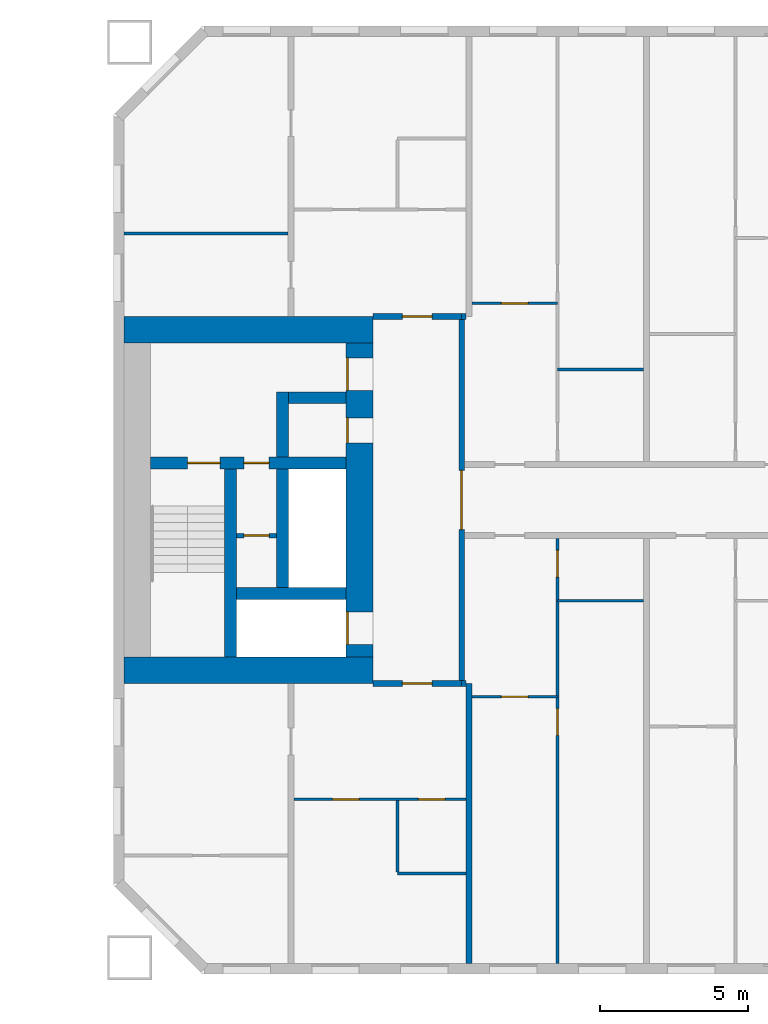
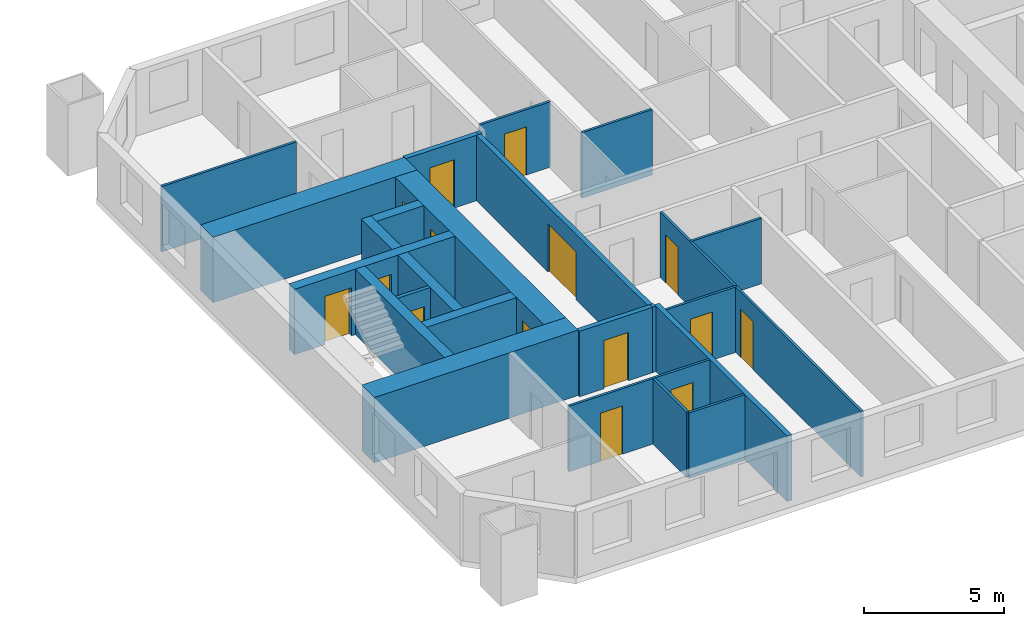
# One storey, part 9 of 16: 25 walls, 15 doors, 15 openings.
"""IFC4 building model written with IfcOpenShell, lengths in metres."""

from ifc_helpers import new_model, si_unit, direction, frame, frame_2d, origin, place, context, subcontext, project, spatial, rectangle, extrude, material, layer, layer_set, type_object, element, fill, save


model = new_model("IFC4")

# Units and contexts
model_context = context("Model", 3, precision=1e-05, world=origin(), true_north=direction((0.0, 1.0)))
body_context = subcontext(model_context, "Body", "Model", "MODEL_VIEW")
ifc_project = project(units=[si_unit("LENGTHUNIT", "METRE"), si_unit("AREAUNIT", "SQUARE_METRE"), si_unit("VOLUMEUNIT", "CUBIC_METRE"), si_unit("PLANEANGLEUNIT", "RADIAN"), si_unit("MASSUNIT", "GRAM", prefix="KILO")], contexts=[model_context])

# Site, building, storey
site_placement = place(None, origin())
site = spatial("IfcSite", under=ifc_project, at=site_placement, CompositionType="ELEMENT")
building_placement = place(site_placement, origin())
building = spatial("IfcBuilding", under=site, at=building_placement, Name="Tuart Gate Housing", CompositionType="ELEMENT")
storey_placement = place(building_placement, frame((0.0, 0.0, 35.0)))
storey = spatial("IfcBuildingStorey", under=building, at=storey_placement, Name="L09", CompositionType="ELEMENT", Elevation=35.0)

# Wall, opening, door
ifc_material_1 = material(Name="Plasterboard partition")
ifc_layer_1 = layer(ifc_material_1, 0.14990234375)
ifc_layer_set_1 = layer_set([ifc_layer_1], Name="Core partition 150")
wall_type_1 = type_object("IfcWallType", Name="Core partition 150", PredefinedType="PARTITIONING", material=ifc_layer_set_1)
wall_1_placement = place(storey_placement, frame((136.510009765625, 68.800048828125, 0.0), z_axis=(0.0, 0.0, 1.0), x_axis=(-1.0, 0.0, 0.0)))
wall_1 = element("IfcWall", 1, at=wall_1_placement, inside=storey, type_object=wall_type_1, Name="Core partition BG.2", PredefinedType="PARTITIONING", context=body_context, shape_type="SweptSolid", body=[
    extrude(rectangle(XDim=1.35009765625, YDim=0.14990234375, at=frame_2d((0.675048828125, 0.0))), origin(), (0.0, 0.0, 1.0), 2.85009765625),
])
opening_1_placement = place(wall_1_placement, frame((0.25, 0.0, 0.0)))
opening_1 = element("IfcOpeningElement", 2, at=opening_1_placement, cuts=wall_1, Name="Opening D564", PredefinedType="OPENING", context=body_context, shape_type="SweptSolid", body=[
    extrude(rectangle(XDim=0.85009765625, YDim=2.10009765625, at=frame_2d((0.425048828125, 1.050048828125))), frame((0.0, 0.0849609375, 0.0), z_axis=(0.0, -1.0, 0.0), x_axis=(1.0, 0.0, 0.0)), (0.0, 0.0, 1.0), 0.169921875),
])
ifc_material_2 = material(Name="Steel fire door", Category="steel")
door_type_1 = type_object("IfcDoorType", Name="Service door 850 x 2100 RH", OperationType="SINGLE_SWING_RIGHT", PredefinedType="DOOR", material=ifc_material_2)
door_1_placement = place(opening_1_placement, frame((0.85009765625, 0.0, 0.0), z_axis=(0.0, 0.0, 1.0), x_axis=(-1.0, 0.0, 0.0)))
door_1 = element("IfcDoor", 3, at=door_1_placement, inside=storey, type_object=door_type_1, Name="Service room door BG.W2", OperationType="SINGLE_SWING_RIGHT", OverallHeight=2.10009765625, OverallWidth=0.85009765625, PredefinedType="DOOR", context=body_context, shape_type="SweptSolid", body=[
    extrude(rectangle(XDim=0.85009765625, YDim=2.10009765625, at=frame_2d((0.425048828125, 1.050048828125))), frame((0.0, 0.025146484375, 0.0), z_axis=(0.0, -1.0, 0.0), x_axis=(1.0, 0.0, 0.0)), (0.0, 0.0, 1.0), 0.050048828125),
])
fill(opening_1, door_1)

# Wall
ifc_material_3 = material(Name="Concrete C60", Category="concrete")
ifc_layer_2 = layer(ifc_material_3, 0.39990234375)
ifc_layer_set_2 = layer_set([ifc_layer_2], Name="Core wall 400 C60")
wall_type_2 = type_object("IfcWallType", Name="Core wall 400 C60", PredefinedType="SHEAR", material=ifc_layer_set_2)
wall_2_placement = place(storey_placement, frame((138.860107421875, 66.85009765625, 0.0), z_axis=(0.0, 0.0, 1.0), x_axis=(-1.0, 0.0, 0.0)))
element("IfcWall", 4, at=wall_2_placement, inside=storey, type_object=wall_type_2, Name="Core wall BG.1", PredefinedType="SHEAR", context=body_context, shape_type="SweptSolid", body=[
    extrude(rectangle(XDim=3.7001953125, YDim=0.39990234375, at=frame_2d((1.85009765625, 0.0))), origin(), (0.0, 0.0, 1.0), 2.85009765625),
])

# Wall, openings, doors
wall_3_placement = place(storey_placement, frame((138.860107421875, 71.25, 0.0), z_axis=(0.0, 0.0, 1.0), x_axis=(-1.0, 0.0, 0.0)))
wall_3 = element("IfcWall", 5, at=wall_3_placement, inside=storey, type_object=wall_type_2, Name="Core wall BG.3", PredefinedType="SHEAR", context=body_context, shape_type="SweptSolid", body=[
    extrude(rectangle(XDim=6.60009765625, YDim=0.39990234375, at=frame_2d((3.300048828125, 0.0))), origin(), (0.0, 0.0, 1.0), 2.85009765625),
])
opening_2_placement = place(wall_3_placement, frame((4.25, 0.0, 0.0)))
opening_2 = element("IfcOpeningElement", 6, at=opening_2_placement, cuts=wall_3, Name="Opening D553", PredefinedType="OPENING", context=body_context, shape_type="SweptSolid", body=[
    extrude(rectangle(XDim=1.10009765625, YDim=2.10009765625, at=frame_2d((0.550048828125, 1.050048828125))), frame((0.0, 0.2099609375, 0.0), z_axis=(0.0, -1.0, 0.0), x_axis=(1.0, 0.0, 0.0)), (0.0, 0.0, 1.0), 0.419921875),
])
opening_3_placement = place(wall_3_placement, frame((2.60009765625, 0.0, 0.0)))
opening_3 = element("IfcOpeningElement", 7, at=opening_3_placement, cuts=wall_3, Name="Opening D552", PredefinedType="OPENING", context=body_context, shape_type="SweptSolid", body=[
    extrude(rectangle(XDim=0.85009765625, YDim=2.10009765625, at=frame_2d((0.425048828125, 1.050048828125))), frame((0.0, 0.2099609375, 0.0), z_axis=(0.0, -1.0, 0.0), x_axis=(1.0, 0.0, 0.0)), (0.0, 0.0, 1.0), 0.419921875),
])
ifc_material_4 = material(Name="Steel fire door", Category="steel")
door_type_2 = type_object("IfcDoorType", Name="Riser door 850 x 2100", OperationType="SINGLE_SWING_LEFT", PredefinedType="DOOR", material=ifc_material_4)
door_2_placement = place(opening_3_placement, origin())
door_2 = element("IfcDoor", 8, at=door_2_placement, inside=storey, type_object=door_type_2, Name="Service room door BG.W1", OperationType="SINGLE_SWING_LEFT", OverallHeight=2.10009765625, OverallWidth=0.85009765625, PredefinedType="DOOR", context=body_context, shape_type="SweptSolid", body=[
    extrude(rectangle(XDim=0.85009765625, YDim=2.10009765625, at=frame_2d((0.425048828125, 1.050048828125))), frame((0.0, 0.02490234375, 0.0), z_axis=(0.0, -1.0, 0.0), x_axis=(1.0, 0.0, 0.0)), (0.0, 0.0, 1.0), 0.050048828125),
])
fill(opening_3, door_2)
ifc_material_5 = material(Name="Steel fire door", Category="steel")
door_type_3 = type_object("IfcDoorType", Name="Stair door 1100 x 2100", OperationType="SINGLE_SWING_LEFT", PredefinedType="DOOR", material=ifc_material_5)
door_3_placement = place(opening_2_placement, origin())
door_3 = element("IfcDoor", 9, at=door_3_placement, inside=storey, type_object=door_type_3, Name="Stair door BG.SD", OperationType="SINGLE_SWING_LEFT", OverallHeight=2.10009765625, OverallWidth=1.10009765625, PredefinedType="DOOR", context=body_context, shape_type="SweptSolid", body=[
    extrude(rectangle(XDim=1.10009765625, YDim=2.10009765625, at=frame_2d((0.550048828125, 1.050048828125))), frame((0.0, 0.02490234375, 0.0), z_axis=(0.0, -1.0, 0.0), x_axis=(1.0, 0.0, 0.0)), (0.0, 0.0, 1.0), 0.050048828125),
])
fill(opening_2, door_3)

# Walls
wall_4_placement = place(storey_placement, frame((138.860107421875, 73.449951171875, 0.0), z_axis=(0.0, 0.0, 1.0), x_axis=(-1.0, 0.0, 0.0)))
element("IfcWall", 10, at=wall_4_placement, inside=storey, type_object=wall_type_2, Name="Core wall BG.4", PredefinedType="SHEAR", context=body_context, shape_type="SweptSolid", body=[
    extrude(rectangle(XDim=1.9501953125, YDim=0.39990234375, at=frame_2d((0.97509765625, 0.0))), origin(), (0.0, 0.0, 1.0), 2.85009765625),
])
wall_5_placement = place(storey_placement, frame((136.7099609375, 67.050048828125, 0.0), z_axis=(0.0, 0.0, 1.0), x_axis=(0.0, 1.0, 0.0)))
element("IfcWall", 11, at=wall_5_placement, inside=storey, type_object=wall_type_2, Name="Core wall BG.5", PredefinedType="SHEAR", context=body_context, shape_type="SweptSolid", body=[
    extrude(rectangle(XDim=4.0, YDim=0.39990234375, at=frame_2d((2.0, 0.0))), origin(), (0.0, 0.0, 1.0), 2.85009765625),
])
wall_6_placement = place(storey_placement, frame((136.7099609375, 71.449951171875, 0.0), z_axis=(0.0, 0.0, 1.0), x_axis=(0.0, 1.0, 0.0)))
element("IfcWall", 12, at=wall_6_placement, inside=storey, type_object=wall_type_2, Name="Core wall BG.6", PredefinedType="SHEAR", context=body_context, shape_type="SweptSolid", body=[
    extrude(rectangle(XDim=2.199951171875, YDim=0.39990234375, at=frame_2d((1.10009765625, 0.0))), origin(), (0.0, 0.0, 1.0), 2.85009765625),
])
wall_7_placement = place(storey_placement, frame((134.9599609375, 64.699951171875, 0.0), z_axis=(0.0, 0.0, 1.0), x_axis=(0.0, 1.0, 0.0)))
element("IfcWall", 13, at=wall_7_placement, inside=storey, type_object=wall_type_2, Name="Core wall BG.7", PredefinedType="SHEAR", context=body_context, shape_type="SweptSolid", body=[
    extrude(rectangle(XDim=6.35009765625, YDim=0.39990234375, at=frame_2d((3.175048828125, 0.0))), origin(), (0.0, 0.0, 1.0), 2.85009765625),
])

# Wall, openings, doors
ifc_material_6 = material(Name="Concrete C60", Category="concrete")
ifc_layer_3 = layer(ifc_material_6, 0.89990234375)
ifc_layer_set_3 = layer_set([ifc_layer_3], Name="Core wall 900 C60")
wall_type_3 = type_object("IfcWallType", Name="Core wall 900 C60", PredefinedType="SHEAR", material=ifc_layer_set_3)
wall_8_placement = place(storey_placement, frame((139.31005859375, 64.699951171875, 0.0), z_axis=(0.0, 0.0, 1.0), x_axis=(0.0, 1.0, 0.0)))
wall_8 = element("IfcWall", 14, at=wall_8_placement, inside=storey, type_object=wall_type_3, Name="Core wall BG front", PredefinedType="SHEAR", context=body_context, shape_type="SweptSolid", body=[
    extrude(rectangle(XDim=10.60009765625, YDim=0.89990234375, at=frame_2d((5.300048828125, 0.0))), origin(), (0.0, 0.0, 1.0), 2.85009765625),
])
opening_4_placement = place(wall_8_placement, frame((0.425048828125, 0.0, 0.0)))
opening_4 = element("IfcOpeningElement", 15, at=opening_4_placement, cuts=wall_8, Name="Opening LD-FB1", PredefinedType="OPENING", context=body_context, shape_type="SweptSolid", body=[
    extrude(rectangle(XDim=1.10009765625, YDim=2.10009765625, at=frame_2d((0.550048828125, 1.050048828125))), frame((0.0, 0.4599609375, 0.0), z_axis=(0.0, -1.0, 0.0), x_axis=(1.0, 0.0, 0.0)), (0.0, 0.0, 1.0), 0.919921875),
])
opening_5_placement = place(wall_8_placement, frame((9.0, 0.0, 0.0)))
opening_5 = element("IfcOpeningElement", 16, at=opening_5_placement, cuts=wall_8, Name="Opening D556", PredefinedType="OPENING", context=body_context, shape_type="SweptSolid", body=[
    extrude(rectangle(XDim=1.10009765625, YDim=2.10009765625, at=frame_2d((0.550048828125, 1.050048828125))), frame((0.0, 0.4599609375, 0.0), z_axis=(0.0, -1.0, 0.0), x_axis=(1.0, 0.0, 0.0)), (0.0, 0.0, 1.0), 0.919921875),
])
opening_6_placement = place(wall_8_placement, frame((7.22509765625, 0.0, 0.0)))
opening_6 = element("IfcOpeningElement", 17, at=opening_6_placement, cuts=wall_8, Name="Opening D557", PredefinedType="OPENING", context=body_context, shape_type="SweptSolid", body=[
    extrude(rectangle(XDim=0.85009765625, YDim=2.10009765625, at=frame_2d((0.425048828125, 1.050048828125))), frame((0.0, 0.4599609375, 0.0), z_axis=(0.0, -1.0, 0.0), x_axis=(1.0, 0.0, 0.0)), (0.0, 0.0, 1.0), 0.919921875),
])
ifc_material_7 = material(Name="Stainless steel", Category="steel")
door_type_4 = type_object("IfcDoorType", Name="Landing door 1100 x 2100", OperationType="DOUBLE_DOOR_SLIDING", PredefinedType="DOOR", material=ifc_material_7)
door_4_placement = place(opening_4_placement, origin())
door_4 = element("IfcDoor", 18, at=door_4_placement, inside=storey, type_object=door_type_4, Name="Lift landing door FB1", OperationType="DOUBLE_DOOR_SLIDING", OverallHeight=2.10009765625, OverallWidth=1.10009765625, PredefinedType="DOOR", context=body_context, shape_type="SweptSolid", body=[
    extrude(rectangle(XDim=1.10009765625, YDim=2.10009765625, at=frame_2d((0.550048828125, 1.050048828125))), frame((0.0, 0.43505859375, 0.0), z_axis=(0.0, -1.0, 0.0), x_axis=(1.0, 0.0, 0.0)), (0.0, 0.0, 1.0), 0.050048828125),
])
fill(opening_4, door_4)
ifc_material_8 = material(Name="Steel fire door", Category="steel")
door_type_5 = type_object("IfcDoorType", Name="Lobby door 1100 x 2100", OperationType="SINGLE_SWING_LEFT", PredefinedType="DOOR", material=ifc_material_8)
door_5_placement = place(opening_5_placement, origin())
door_5 = element("IfcDoor", 19, at=door_5_placement, inside=storey, type_object=door_type_5, Name="Lobby entry door BG.EN", OperationType="SINGLE_SWING_LEFT", OverallHeight=2.10009765625, OverallWidth=1.10009765625, PredefinedType="DOOR", context=body_context, shape_type="SweptSolid", body=[
    extrude(rectangle(XDim=1.10009765625, YDim=2.10009765625, at=frame_2d((0.550048828125, 1.050048828125))), frame((0.0, 0.43505859375, 0.0), z_axis=(0.0, -1.0, 0.0), x_axis=(1.0, 0.0, 0.0)), (0.0, 0.0, 1.0), 0.050048828125),
])
fill(opening_5, door_5)
ifc_material_9 = material(Name="Steel fire door", Category="steel")
door_type_6 = type_object("IfcDoorType", Name="Service door 850 x 2100", OperationType="SINGLE_SWING_LEFT", PredefinedType="DOOR", material=ifc_material_9)
door_6_placement = place(opening_6_placement, origin())
door_6 = element("IfcDoor", 20, at=door_6_placement, inside=storey, type_object=door_type_6, Name="Service room door BG.T1", OperationType="SINGLE_SWING_LEFT", OverallHeight=2.10009765625, OverallWidth=0.85009765625, PredefinedType="DOOR", context=body_context, shape_type="SweptSolid", body=[
    extrude(rectangle(XDim=0.85009765625, YDim=2.10009765625, at=frame_2d((0.425048828125, 1.050048828125))), frame((0.0, 0.43505859375, 0.0), z_axis=(0.0, -1.0, 0.0), x_axis=(1.0, 0.0, 0.0)), (0.0, 0.0, 1.0), 0.050048828125),
])
fill(opening_6, door_6)

# Walls
for number, where, z_axis, x_axis, name in (
    (21, (139.760009765625, 64.25, 0.0), (0.0, 0.0, 1.0), (-1.0, 0.0, 0.0), "Core wall BG south"),
    (22, (139.760009765625, 75.75, 0.0), (0.0, 0.0, 1.0), (-1.0, 0.0, 0.0), "Core wall BG north"),
):
    element("IfcWall", number, at=place(storey_placement, frame(where, z_axis=z_axis, x_axis=x_axis)), inside=storey, type_object=wall_type_3, Name=name, PredefinedType="SHEAR", context=body_context, shape_type="SweptSolid", body=[
        extrude(rectangle(XDim=8.39990234375, YDim=0.89990234375, at=frame_2d((4.199951171875, 0.0))), origin(), (0.0, 0.0, 1.0), 2.85009765625),
    ])

# Wall, opening, door
ifc_material_10 = material(Name="Concrete masonry 15 MPa", Category="masonry")
ifc_layer_4 = layer(ifc_material_10, 0.199951171875)
ifc_layer_set_4 = layer_set([ifc_layer_4], Name="Enclosure wall masonry 200")
wall_type_4 = type_object("IfcWallType", Name="Enclosure wall masonry 200", PredefinedType="PARTITIONING", material=ifc_layer_set_4)
wall_9_placement = place(storey_placement, frame((139.760009765625, 63.800048828125, 0.0), z_axis=(0.0, 0.0, 1.0), x_axis=(1.0, 0.0, 0.0)))
wall_9 = element("IfcWall", 23, at=wall_9_placement, inside=storey, type_object=wall_type_4, Name="Enclosure wall masonry 200", PredefinedType="PARTITIONING", context=body_context, shape_type="SweptSolid", body=[
    extrude(rectangle(XDim=3.0, YDim=0.199951171875, at=frame_2d((1.5, 0.0))), origin(), (0.0, 0.0, 1.0), 2.85009765625),
])
opening_7_placement = place(wall_9_placement, frame((1.0, 0.0, 0.0)))
opening_7 = element("IfcOpeningElement", 24, at=opening_7_placement, cuts=wall_9, Name="Opening D569", PredefinedType="OPENING", context=body_context, shape_type="SweptSolid", body=[
    extrude(rectangle(XDim=1.0, YDim=2.10009765625, at=frame_2d((0.5, 1.050048828125))), frame((0.0, 0.10986328125, 0.0), z_axis=(0.0, -1.0, 0.0), x_axis=(1.0, 0.0, 0.0)), (0.0, 0.0, 1.0), 0.219970703125),
])
ifc_material_11 = material(Name="Timber door leaf in steel frame", Category="steel")
door_type_7 = type_object("IfcDoorType", Name="Flat entrance door 1000", OperationType="SINGLE_SWING_LEFT", PredefinedType="DOOR", material=ifc_material_11)
door_7_placement = place(opening_7_placement, frame((1.0, 0.0, 0.0), z_axis=(0.0, 0.0, 1.0), x_axis=(-1.0, 0.0, 0.0)))
door_7 = element("IfcDoor", 25, at=door_7_placement, inside=storey, type_object=door_type_7, Name="Flat entrance door", OperationType="SINGLE_SWING_LEFT", OverallHeight=2.10009765625, OverallWidth=1.0, PredefinedType="DOOR", context=body_context, shape_type="SweptSolid", body=[
    extrude(rectangle(XDim=1.0, YDim=2.10009765625, at=frame_2d((0.5, 1.050048828125))), frame((0.0, 0.025146484375, 0.0), z_axis=(0.0, -1.0, 0.0), x_axis=(1.0, 0.0, 0.0)), (0.0, 0.0, 1.0), 0.050048828125),
])
fill(opening_7, door_7)

wall_10_placement = place(storey_placement, frame((139.760009765625, 76.199951171875, 0.0), z_axis=(0.0, 0.0, 1.0), x_axis=(1.0, 0.0, 0.0)))
wall_10 = element("IfcWall", 26, at=wall_10_placement, inside=storey, type_object=wall_type_4, Name="Enclosure wall masonry 200", PredefinedType="PARTITIONING", context=body_context, shape_type="SweptSolid", body=[
    extrude(rectangle(XDim=3.0, YDim=0.199951171875, at=frame_2d((1.5, 0.0))), origin(), (0.0, 0.0, 1.0), 2.85009765625),
])
opening_8_placement = place(wall_10_placement, frame((1.0, 0.0, 0.0)))
opening_8 = element("IfcOpeningElement", 27, at=opening_8_placement, cuts=wall_10, Name="Opening D549", PredefinedType="OPENING", context=body_context, shape_type="SweptSolid", body=[
    extrude(rectangle(XDim=1.0, YDim=2.10009765625, at=frame_2d((0.5, 1.050048828125))), frame((0.0, 0.10986328125, 0.0), z_axis=(0.0, -1.0, 0.0), x_axis=(1.0, 0.0, 0.0)), (0.0, 0.0, 1.0), 0.219970703125),
])
ifc_material_12 = material(Name="Timber door leaf in steel frame", Category="steel")
door_type_8 = type_object("IfcDoorType", Name="Flat entrance door 1000 RH", OperationType="SINGLE_SWING_RIGHT", PredefinedType="DOOR", material=ifc_material_12)
door_8_placement = place(opening_8_placement, origin())
door_8 = element("IfcDoor", 28, at=door_8_placement, inside=storey, type_object=door_type_8, Name="Flat entrance door", OperationType="SINGLE_SWING_RIGHT", OverallHeight=2.10009765625, OverallWidth=1.0, PredefinedType="DOOR", context=body_context, shape_type="SweptSolid", body=[
    extrude(rectangle(XDim=1.0, YDim=2.10009765625, at=frame_2d((0.5, 1.050048828125))), frame((0.0, 0.02490234375, 0.0), z_axis=(0.0, -1.0, 0.0), x_axis=(1.0, 0.0, 0.0)), (0.0, 0.0, 1.0), 0.050048828125),
])
fill(opening_8, door_8)

ifc_material_13 = material(Name="Plasterboard partition")
ifc_layer_5 = layer(ifc_material_13, 0.199951171875)
ifc_layer_set_5 = layer_set([ifc_layer_5], Name="Lobby wall 200")
wall_type_5 = type_object("IfcWallType", Name="Lobby wall 200", PredefinedType="PARTITIONING", material=ifc_layer_set_5)
wall_11_placement = place(storey_placement, frame((142.760009765625, 63.89990234375, 0.0), z_axis=(0.0, 0.0, 1.0), x_axis=(0.0, 1.0, 0.0)))
wall_11 = element("IfcWall", 29, at=wall_11_placement, inside=storey, type_object=wall_type_5, Name="Lift lobby wall BG", PredefinedType="PARTITIONING", context=body_context, shape_type="SweptSolid", body=[
    extrude(rectangle(XDim=12.2001953125, YDim=0.199951171875, at=frame_2d((6.10009765625, 0.0))), origin(), (0.0, 0.0, 1.0), 2.85009765625),
])
opening_9_placement = place(wall_11_placement, frame((5.10009765625, 0.0, 0.0)))
opening_9 = element("IfcOpeningElement", 30, at=opening_9_placement, cuts=wall_11, Name="Opening D558", PredefinedType="OPENING", context=body_context, shape_type="SweptSolid", body=[
    extrude(rectangle(XDim=2.0, YDim=2.10009765625, at=frame_2d((1.0, 1.050048828125))), frame((0.0, 0.10986328125, 0.0), z_axis=(0.0, -1.0, 0.0), x_axis=(1.0, 0.0, 0.0)), (0.0, 0.0, 1.0), 0.219970703125),
])
ifc_material_14 = material(Name="Steel fire door", Category="steel")
door_type_9 = type_object("IfcDoorType", Name="Smoke door 2000 x 2100", OperationType="DOUBLE_DOOR_SINGLE_SWING", PredefinedType="DOOR", material=ifc_material_14)
door_9_placement = place(opening_9_placement, origin())
door_9 = element("IfcDoor", 31, at=door_9_placement, inside=storey, type_object=door_type_9, Name="Lift lobby smoke door BG", OperationType="DOUBLE_DOOR_SINGLE_SWING", OverallHeight=2.10009765625, OverallWidth=2.0, PredefinedType="DOOR", context=body_context, shape_type="SweptSolid", body=[
    extrude(rectangle(XDim=2.0, YDim=2.10009765625, at=frame_2d((1.0, 1.050048828125))), frame((0.0, 0.02490234375, 0.0), z_axis=(0.0, -1.0, 0.0), x_axis=(1.0, 0.0, 0.0)), (0.0, 0.0, 1.0), 0.050048828125),
])
fill(opening_9, door_9)

# Wall
ifc_material_15 = material(Name="Gypsum board on steel studs", Category="steel")
ifc_layer_6 = layer(ifc_material_15, 0.10009765625)
ifc_layer_set_6 = layer_set([ifc_layer_6], Name="Partition 100")
wall_type_6 = type_object("IfcWallType", Name="Partition 100", PredefinedType="PARTITIONING", material=ifc_layer_set_6)
wall_12_placement = place(storey_placement, frame((140.60009765625, 57.39990234375, 0.0), z_axis=(0.0, 0.0, 1.0), x_axis=(1.0, 0.0, 0.0)))
element("IfcWall", 32, at=wall_12_placement, inside=storey, type_object=wall_type_6, Name="Partition 100", PredefinedType="PARTITIONING", context=body_context, shape_type="SweptSolid", body=[
    extrude(rectangle(XDim=2.2998046875, YDim=0.10009765625, at=frame_2d((1.14990234375, 0.0))), origin(), (0.0, 0.0, 1.0), 2.85009765625),
])

# Wall, openings, doors
wall_13_placement = place(storey_placement, frame((137.10009765625, 59.89990234375, 0.0), z_axis=(0.0, 0.0, 1.0), x_axis=(1.0, 0.0, 0.0)))
wall_13 = element("IfcWall", 33, at=wall_13_placement, inside=storey, type_object=wall_type_6, Name="Partition 100", PredefinedType="PARTITIONING", context=body_context, shape_type="SweptSolid", body=[
    extrude(rectangle(XDim=5.7998046875, YDim=0.10009765625, at=frame_2d((2.89990234375, 0.0))), origin(), (0.0, 0.0, 1.0), 2.85009765625),
])
opening_10_placement = place(wall_13_placement, frame((1.300048828125, 0.0, 0.0)))
opening_10 = element("IfcOpeningElement", 34, at=opening_10_placement, cuts=wall_13, Name="Opening D581", PredefinedType="OPENING", context=body_context, shape_type="SweptSolid", body=[
    extrude(rectangle(XDim=0.89990234375, YDim=2.10009765625, at=frame_2d((0.449951171875, 1.050048828125))), frame((0.0, 0.06005859375, 0.0), z_axis=(0.0, -1.0, 0.0), x_axis=(1.0, 0.0, 0.0)), (0.0, 0.0, 1.0), 0.1201171875),
])
opening_11_placement = place(wall_13_placement, frame((4.199951171875, 0.0, 0.0)))
opening_11 = element("IfcOpeningElement", 35, at=opening_11_placement, cuts=wall_13, Name="Opening D580", PredefinedType="OPENING", context=body_context, shape_type="SweptSolid", body=[
    extrude(rectangle(XDim=0.89990234375, YDim=2.10009765625, at=frame_2d((0.449951171875, 1.050048828125))), frame((0.0, 0.06005859375, 0.0), z_axis=(0.0, -1.0, 0.0), x_axis=(1.0, 0.0, 0.0)), (0.0, 0.0, 1.0), 0.1201171875),
])
ifc_material_16 = material(Name="Timber door leaf in steel frame", Category="steel")
door_type_10 = type_object("IfcDoorType", Name="Bathroom door 900 RH", OperationType="SINGLE_SWING_RIGHT", PredefinedType="DOOR", material=ifc_material_16)
door_10_placement = place(opening_11_placement, frame((0.89990234375, 0.0, 0.0), z_axis=(0.0, 0.0, 1.0), x_axis=(-1.0, 0.0, 0.0)))
door_10 = element("IfcDoor", 36, at=door_10_placement, inside=storey, type_object=door_type_10, Name="Bathroom door", OperationType="SINGLE_SWING_RIGHT", OverallHeight=2.10009765625, OverallWidth=0.89990234375, PredefinedType="DOOR", context=body_context, shape_type="SweptSolid", body=[
    extrude(rectangle(XDim=0.89990234375, YDim=2.10009765625, at=frame_2d((0.449951171875, 1.050048828125))), frame((0.0, 0.025146484375, 0.0), z_axis=(0.0, -1.0, 0.0), x_axis=(1.0, 0.0, 0.0)), (0.0, 0.0, 1.0), 0.050048828125),
])
fill(opening_11, door_10)
ifc_material_17 = material(Name="Timber door leaf in steel frame", Category="steel")
door_type_11 = type_object("IfcDoorType", Name="Internal door 900", OperationType="SINGLE_SWING_LEFT", PredefinedType="DOOR", material=ifc_material_17)
door_11_placement = place(opening_10_placement, frame((0.89990234375, 0.0, 0.0), z_axis=(0.0, 0.0, 1.0), x_axis=(-1.0, 0.0, 0.0)))
door_11 = element("IfcDoor", 37, at=door_11_placement, inside=storey, type_object=door_type_11, Name="Internal door", OperationType="SINGLE_SWING_LEFT", OverallHeight=2.10009765625, OverallWidth=0.89990234375, PredefinedType="DOOR", context=body_context, shape_type="SweptSolid", body=[
    extrude(rectangle(XDim=0.89990234375, YDim=2.10009765625, at=frame_2d((0.449951171875, 1.050048828125))), frame((0.0, 0.025146484375, 0.0), z_axis=(0.0, -1.0, 0.0), x_axis=(1.0, 0.0, 0.0)), (0.0, 0.0, 1.0), 0.050048828125),
])
fill(opening_10, door_11)

# Wall, opening, door
wall_14_placement = place(storey_placement, frame((143.10009765625, 63.360107421875, 0.0), z_axis=(0.0, 0.0, 1.0), x_axis=(1.0, 0.0, 0.0)))
wall_14 = element("IfcWall", 38, at=wall_14_placement, inside=storey, type_object=wall_type_6, Name="Partition 100", PredefinedType="PARTITIONING", context=body_context, shape_type="SweptSolid", body=[
    extrude(rectangle(XDim=2.89990234375, YDim=0.10009765625, at=frame_2d((1.449951171875, 0.0))), origin(), (0.0, 0.0, 1.0), 2.85009765625),
])
opening_12_placement = place(wall_14_placement, frame((1.0, 0.0, 0.0)))
opening_12 = element("IfcOpeningElement", 39, at=opening_12_placement, cuts=wall_14, Name="Opening D572", PredefinedType="OPENING", context=body_context, shape_type="SweptSolid", body=[
    extrude(rectangle(XDim=0.89990234375, YDim=2.10009765625, at=frame_2d((0.449951171875, 1.050048828125))), frame((0.0, 0.06005859375, 0.0), z_axis=(0.0, -1.0, 0.0), x_axis=(1.0, 0.0, 0.0)), (0.0, 0.0, 1.0), 0.1201171875),
])
ifc_material_18 = material(Name="Timber door leaf in steel frame", Category="steel")
door_type_12 = type_object("IfcDoorType", Name="Internal door 900 RH", OperationType="SINGLE_SWING_RIGHT", PredefinedType="DOOR", material=ifc_material_18)
door_12_placement = place(opening_12_placement, origin())
door_12 = element("IfcDoor", 40, at=door_12_placement, inside=storey, type_object=door_type_12, Name="Internal door", OperationType="SINGLE_SWING_RIGHT", OverallHeight=2.10009765625, OverallWidth=0.89990234375, PredefinedType="DOOR", context=body_context, shape_type="SweptSolid", body=[
    extrude(rectangle(XDim=0.89990234375, YDim=2.10009765625, at=frame_2d((0.449951171875, 1.050048828125))), frame((0.0, 0.02490234375, 0.0), z_axis=(0.0, -1.0, 0.0), x_axis=(1.0, 0.0, 0.0)), (0.0, 0.0, 1.0), 0.050048828125),
])
fill(opening_12, door_12)

# Walls
for number, where, z_axis, x_axis, name in (
    (41, (146.0, 66.60009765625, 0.0), (0.0, 0.0, 1.0), (1.0, 0.0, 0.0), "Partition 100"),
    (42, (146.0, 74.39990234375, 0.0), (0.0, 0.0, 1.0), (1.0, 0.0, 0.0), "Partition 100"),
):
    element("IfcWall", number, at=place(storey_placement, frame(where, z_axis=z_axis, x_axis=x_axis)), inside=storey, type_object=wall_type_6, Name=name, PredefinedType="PARTITIONING", context=body_context, shape_type="SweptSolid", body=[
        extrude(rectangle(XDim=2.89990234375, YDim=0.10009765625, at=frame_2d((1.449951171875, 0.0))), origin(), (0.0, 0.0, 1.0), 2.85009765625),
    ])

# Wall, opening, door
wall_15_placement = place(storey_placement, frame((143.10009765625, 76.639892578125, 0.0), z_axis=(0.0, 0.0, 1.0), x_axis=(1.0, 0.0, 0.0)))
wall_15 = element("IfcWall", 43, at=wall_15_placement, inside=storey, type_object=wall_type_6, Name="Partition 100", PredefinedType="PARTITIONING", context=body_context, shape_type="SweptSolid", body=[
    extrude(rectangle(XDim=2.89990234375, YDim=0.10009765625, at=frame_2d((1.449951171875, 0.0))), origin(), (0.0, 0.0, 1.0), 2.85009765625),
])
opening_13_placement = place(wall_15_placement, frame((1.0, 0.0, 0.0)))
opening_13 = element("IfcOpeningElement", 44, at=opening_13_placement, cuts=wall_15, Name="Opening D548", PredefinedType="OPENING", context=body_context, shape_type="SweptSolid", body=[
    extrude(rectangle(XDim=0.89990234375, YDim=2.10009765625, at=frame_2d((0.449951171875, 1.050048828125))), frame((0.0, 0.06005859375, 0.0), z_axis=(0.0, -1.0, 0.0), x_axis=(1.0, 0.0, 0.0)), (0.0, 0.0, 1.0), 0.1201171875),
])
door_13_placement = place(opening_13_placement, frame((0.89990234375, 0.0, 0.0), z_axis=(0.0, 0.0, 1.0), x_axis=(-1.0, 0.0, 0.0)))
door_13 = element("IfcDoor", 45, at=door_13_placement, inside=storey, type_object=door_type_11, Name="Internal door", OperationType="SINGLE_SWING_LEFT", OverallHeight=2.10009765625, OverallWidth=0.89990234375, PredefinedType="DOOR", context=body_context, shape_type="SweptSolid", body=[
    extrude(rectangle(XDim=0.89990234375, YDim=2.10009765625, at=frame_2d((0.449951171875, 1.050048828125))), frame((0.0, 0.025146484375, 0.0), z_axis=(0.0, -1.0, 0.0), x_axis=(1.0, 0.0, 0.0)), (0.0, 0.0, 1.0), 0.050048828125),
])
fill(opening_13, door_13)

# Walls
wall_16_placement = place(storey_placement, frame((131.360107421875, 79.0, 0.0), z_axis=(0.0, 0.0, 1.0), x_axis=(1.0, 0.0, 0.0)))
element("IfcWall", 46, at=wall_16_placement, inside=storey, type_object=wall_type_6, Name="Partition 100", PredefinedType="PARTITIONING", context=body_context, shape_type="SweptSolid", body=[
    extrude(rectangle(XDim=5.539794921875, YDim=0.10009765625, at=frame_2d((2.77001953125, 0.0))), origin(), (0.0, 0.0, 1.0), 2.85009765625),
])
wall_17_placement = place(storey_placement, frame((140.60009765625, 57.449951171875, 0.0), z_axis=(0.0, 0.0, 1.0), x_axis=(0.0, 1.0, 0.0)))
element("IfcWall", 47, at=wall_17_placement, inside=storey, type_object=wall_type_6, Name="Partition 100", PredefinedType="PARTITIONING", context=body_context, shape_type="SweptSolid", body=[
    extrude(rectangle(XDim=2.400146484375, YDim=0.10009765625, at=frame_2d((1.2001953125, 0.0))), origin(), (0.0, 0.0, 1.0), 2.85009765625),
])

# Wall, openings, doors
wall_18_placement = place(storey_placement, frame((146.0, 54.360107421875, 0.0), z_axis=(0.0, 0.0, 1.0), x_axis=(0.0, 1.0, 0.0)))
wall_18 = element("IfcWall", 48, at=wall_18_placement, inside=storey, type_object=wall_type_6, Name="Partition 100", PredefinedType="PARTITIONING", context=body_context, shape_type="SweptSolid", body=[
    extrude(rectangle(XDim=14.33984375, YDim=0.10009765625, at=frame_2d((7.169921875, 0.0))), origin(), (0.0, 0.0, 1.0), 2.85009765625),
])
opening_14_placement = place(wall_18_placement, frame((7.699951171875, 0.0, 0.0)))
opening_14 = element("IfcOpeningElement", 49, at=opening_14_placement, cuts=wall_18, Name="Opening D575", PredefinedType="OPENING", context=body_context, shape_type="SweptSolid", body=[
    extrude(rectangle(XDim=0.89990234375, YDim=2.10009765625, at=frame_2d((0.449951171875, 1.050048828125))), frame((0.0, 0.06005859375, 0.0), z_axis=(0.0, -1.0, 0.0), x_axis=(1.0, 0.0, 0.0)), (0.0, 0.0, 1.0), 0.1201171875),
])
opening_15_placement = place(wall_18_placement, frame((13.0400390625, 0.0, 0.0)))
opening_15 = element("IfcOpeningElement", 50, at=opening_15_placement, cuts=wall_18, Name="Opening D574", PredefinedType="OPENING", context=body_context, shape_type="SweptSolid", body=[
    extrude(rectangle(XDim=0.89990234375, YDim=2.10009765625, at=frame_2d((0.449951171875, 1.050048828125))), frame((0.0, 0.06005859375, 0.0), z_axis=(0.0, -1.0, 0.0), x_axis=(1.0, 0.0, 0.0)), (0.0, 0.0, 1.0), 0.1201171875),
])
ifc_material_19 = material(Name="Timber door leaf in steel frame", Category="steel")
door_type_13 = type_object("IfcDoorType", Name="Bathroom door 900", OperationType="SINGLE_SWING_LEFT", PredefinedType="DOOR", material=ifc_material_19)
door_14_placement = place(opening_15_placement, frame((0.89990234375, 0.0, 0.0), z_axis=(0.0, 0.0, 1.0), x_axis=(-1.0, 0.0, 0.0)))
door_14 = element("IfcDoor", 51, at=door_14_placement, inside=storey, type_object=door_type_13, Name="Bathroom door", OperationType="SINGLE_SWING_LEFT", OverallHeight=2.10009765625, OverallWidth=0.89990234375, PredefinedType="DOOR", context=body_context, shape_type="SweptSolid", body=[
    extrude(rectangle(XDim=0.89990234375, YDim=2.10009765625, at=frame_2d((0.449951171875, 1.050048828125))), frame((0.0, 0.025146484375, 0.0), z_axis=(0.0, -1.0, 0.0), x_axis=(1.0, 0.0, 0.0)), (0.0, 0.0, 1.0), 0.050048828125),
])
fill(opening_15, door_14)
door_15_placement = place(opening_14_placement, frame((0.89990234375, 0.0, 0.0), z_axis=(0.0, 0.0, 1.0), x_axis=(-1.0, 0.0, 0.0)))
door_15 = element("IfcDoor", 52, at=door_15_placement, inside=storey, type_object=door_type_11, Name="Internal door", OperationType="SINGLE_SWING_LEFT", OverallHeight=2.10009765625, OverallWidth=0.89990234375, PredefinedType="DOOR", context=body_context, shape_type="SweptSolid", body=[
    extrude(rectangle(XDim=0.89990234375, YDim=2.10009765625, at=frame_2d((0.449951171875, 1.050048828125))), frame((0.0, 0.025146484375, 0.0), z_axis=(0.0, -1.0, 0.0), x_axis=(1.0, 0.0, 0.0)), (0.0, 0.0, 1.0), 0.050048828125),
])
fill(opening_14, door_15)

# Walls
ifc_material_20 = material(Name="Concrete C40", Category="concrete")
ifc_layer_7 = layer(ifc_material_20, 0.199951171875)
ifc_layer_set_7 = layer_set([ifc_layer_7], Name="Party wall concrete C40 200")
wall_type_7 = type_object("IfcWallType", Name="Party wall concrete C40 200", PredefinedType="SOLIDWALL", material=ifc_layer_set_7)
wall_19_placement = place(storey_placement, frame((143.0, 54.360107421875, 0.0), z_axis=(0.0, 0.0, 1.0), x_axis=(0.0, 1.0, 0.0)))
element("IfcWall", 53, at=wall_19_placement, inside=storey, type_object=wall_type_7, Name="Party wall concrete C40 200", PredefinedType="SOLIDWALL", context=body_context, shape_type="SweptSolid", body=[
    extrude(rectangle(XDim=9.43994140625, YDim=0.199951171875, at=frame_2d((4.719970703125, 0.0))), origin(), (0.0, 0.0, 1.0), 2.85009765625),
])
ifc_material_21 = material(Name="Concrete masonry 15 MPa", Category="masonry")
ifc_layer_8 = layer(ifc_material_21, 0.199951171875)
ifc_layer_set_8 = layer_set([ifc_layer_8], Name="Party wall masonry 200")
wall_type_8 = type_object("IfcWallType", Name="Party wall masonry 200", PredefinedType="PARTITIONING", material=ifc_layer_set_8)
for number, where, z_axis, x_axis, name in (
    (54, (142.760009765625, 63.800048828125, 0.0), (0.0, 0.0, 1.0), (1.0, 0.0, 0.0), "Party wall masonry 200"),
    (55, (142.760009765625, 76.199951171875, 0.0), (0.0, 0.0, 1.0), (1.0, 0.0, 0.0), "Party wall masonry 200"),
):
    element("IfcWall", number, at=place(storey_placement, frame(where, z_axis=z_axis, x_axis=x_axis)), inside=storey, type_object=wall_type_8, Name=name, PredefinedType="PARTITIONING", context=body_context, shape_type="SweptSolid", body=[
        extrude(rectangle(XDim=0.139892578125, YDim=0.199951171875, at=frame_2d((0.06982421875, 0.0))), origin(), (0.0, 0.0, 1.0), 2.85009765625),
    ])

save(model, "model.ifc")
